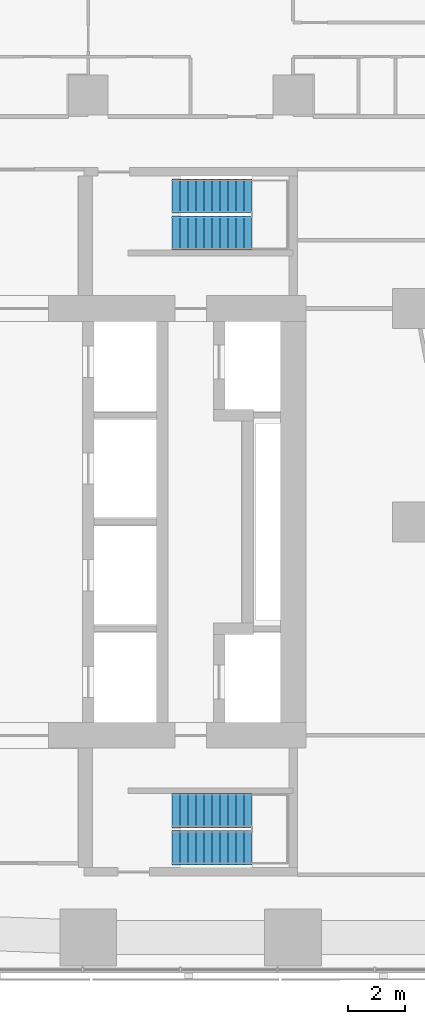
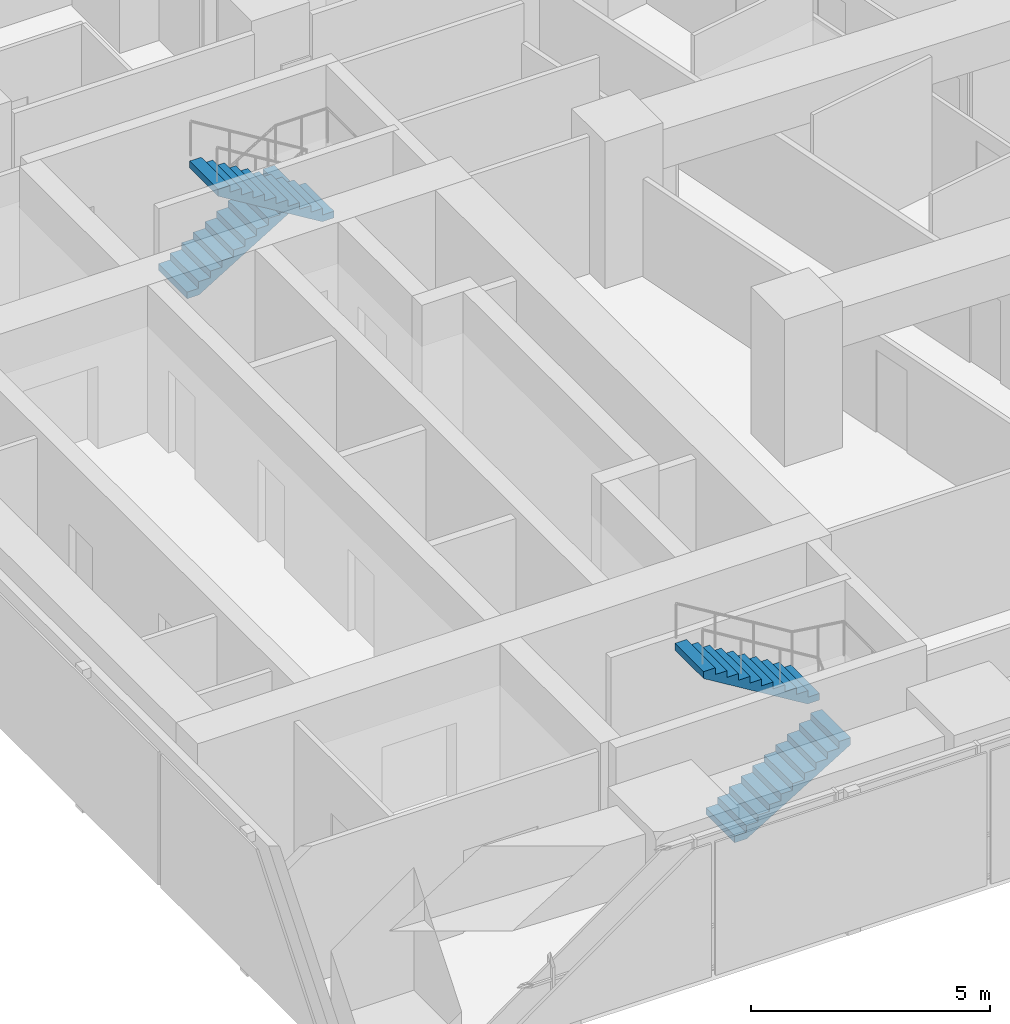
# One storey, part 9 of 10: 4 stair flights, 2 elements without a shape of their own.
"""IFC4 building model written with IfcOpenShell, lengths in metres."""

from ifc_helpers import new_model, si_unit, direction, frame, origin, place, context, subcontext, project, spatial, triangles, material, type_object, element, aggregate, save


model = new_model("IFC4")

# Units and contexts
model_context = context("Model", 3, precision=1e-05, world=origin(), true_north=direction((0.0, 1.0)))
body_context = subcontext(model_context, "Body", "Model", "MODEL_VIEW")
ifc_project = project(units=[si_unit("LENGTHUNIT", "METRE"), si_unit("AREAUNIT", "SQUARE_METRE"), si_unit("VOLUMEUNIT", "CUBIC_METRE"), si_unit("PLANEANGLEUNIT", "RADIAN"), si_unit("MASSUNIT", "GRAM", prefix="KILO")], contexts=[model_context])

# Site, building, storey
site_placement = place(None, origin())
site = spatial("IfcSite", under=ifc_project, at=site_placement, CompositionType="ELEMENT")
building_placement = place(site_placement, origin())
building = spatial("IfcBuilding", under=site, at=building_placement, Name="Sheger Commons Tower", CompositionType="ELEMENT")
storey_placement = place(building_placement, frame((0.0, 0.0, 285.35009765625)))
storey = spatial("IfcBuildingStorey", under=building, at=storey_placement, Name="L73", CompositionType="ELEMENT", Elevation=285.35009765625)

# Stair, stair flights
ifc_material_1 = material(Name="Concrete C35/45", Category="concrete")
stair_type = type_object("IfcStairType", Name="HALF-TURN STAIR 1200 RISE 3750", PredefinedType="HALF_TURN_STAIR", material=ifc_material_1)
stair_1_placement = place(storey_placement, origin())
stair_1 = element("IfcStair", 1, at=stair_1_placement, inside=storey, type_object=stair_type, Name="Stair S1 L73", PredefinedType="HALF_TURN_STAIR")
ifc_material_2 = material(Name="Concrete C35/45", Category="concrete")
stair_flight_type = type_object("IfcStairFlightType", Name="STAIR FLIGHT 1200 11 RISERS OF 170", PredefinedType="STRAIGHT", material=ifc_material_2)
stair_flight_1_placement = place(storey_placement, frame((24.550048828125, 11.050048828125, 0.0), z_axis=(0.0, 0.0, 1.0), x_axis=(1.0, 0.0, 0.0)))
stair_flight_1 = element("IfcStairFlight", 2, at=stair_flight_1_placement, type_object=stair_flight_type, Name="S1 flight 1", NumberOfRisers=11, NumberOfTreads=10, PredefinedType="STRAIGHT", RiserHeight=0.170454545, TreadLength=0.28, context=body_context, shape_type="Tessellation", body=[
    triangles([(0.0, 0.5999755859375, 0.0), (0.0, 0.5999755859375, 0.17041015625), (0.280029296875, 0.5999755859375, 0.17041015625), (0.280029296875, 0.5999755859375, 0.3408203125), (0.56005859375, 0.5999755859375, 0.3408203125), (0.56005859375, 0.5999755859375, 0.511474609375), (0.840087890625, 0.5999755859375, 0.511474609375), (0.840087890625, 0.5999755859375, 0.681884765625), (1.1201171875, 0.5999755859375, 0.681884765625), (1.1201171875, 0.5999755859375, 0.852294921875), (1.39990234375, 0.5999755859375, 0.852294921875), (1.39990234375, 0.5999755859375, 1.022705078125), (1.679931640625, 0.5999755859375, 1.022705078125), (1.679931640625, 0.5999755859375, 1.193115234375), (1.9599609375, 0.5999755859375, 1.193115234375), (1.9599609375, 0.5999755859375, 1.363525390625), (2.239990234375, 0.5999755859375, 1.363525390625), (2.239990234375, 0.5999755859375, 1.5341796875), (2.52001953125, 0.5999755859375, 1.5341796875), (2.52001953125, 0.5999755859375, 1.70458984375), (2.800048828125, 0.5999755859375, 1.70458984375), (2.800048828125, 0.5999755859375, 1.529052734375), (0.288330078125, 0.5999755859375, 0.0), (0.0, -0.5999755859375, 0.0), (0.0, -0.5999755859375, 0.17041015625), (0.280029296875, -0.5999755859375, 0.17041015625), (0.280029296875, -0.5999755859375, 0.3408203125), (0.56005859375, -0.5999755859375, 0.3408203125), (0.56005859375, -0.5999755859375, 0.511474609375), (0.840087890625, -0.5999755859375, 0.511474609375), (0.840087890625, -0.5999755859375, 0.681884765625), (1.1201171875, -0.5999755859375, 0.681884765625), (1.1201171875, -0.5999755859375, 0.852294921875), (1.39990234375, -0.5999755859375, 0.852294921875), (1.39990234375, -0.5999755859375, 1.022705078125), (1.679931640625, -0.5999755859375, 1.022705078125), (1.679931640625, -0.5999755859375, 1.193115234375), (1.9599609375, -0.5999755859375, 1.193115234375), (1.9599609375, -0.5999755859375, 1.363525390625), (2.239990234375, -0.5999755859375, 1.363525390625), (2.239990234375, -0.5999755859375, 1.5341796875), (2.52001953125, -0.5999755859375, 1.5341796875), (2.52001953125, -0.5999755859375, 1.70458984375), (2.800048828125, -0.5999755859375, 1.70458984375), (2.800048828125, -0.5999755859375, 1.529052734375), (0.288330078125, -0.5999755859375, 0.0), (0.0, 0.0, 0.085205078125), (0.1400146484375, 0.0, 0.17041015625), (0.280029296875, 0.0, 0.255615234375), (0.4200439453125, 0.0, 0.3408203125), (0.56005859375, 0.0, 0.4261474609375), (0.7000732421875, 0.0, 0.511474609375), (0.840087890625, 0.0, 0.5966796875), (0.9801025390625, 0.0, 0.681884765625), (1.1201171875, 0.0, 0.76708984375), (1.260009765625, 0.0, 0.852294921875), (1.39990234375, 0.0, 0.9375), (1.5399169921875, 0.0, 1.022705078125), (1.679931640625, 0.0, 1.10791015625), (1.8199462890625, 0.0, 1.193115234375), (1.9599609375, 0.0, 1.2783203125), (2.0999755859375, 0.0, 1.363525390625), (2.239990234375, 0.0, 1.4488525390625), (2.3800048828125, 0.0, 1.5341796875), (2.52001953125, 0.0, 1.619384765625), (2.6600341796875, 0.0, 1.70458984375), (2.800048828125, 0.0, 1.6168212890625), (1.544189453125, 0.0, 0.7645263671875), (0.1441650390625, 0.0, 0.0)], [[1, 22, 23], [24, 46, 45], [22, 20, 21], [45, 44, 43], [22, 19, 20], [45, 43, 42], [22, 18, 19], [45, 42, 41], [22, 17, 18], [45, 41, 40], [17, 15, 16], [40, 39, 38], [22, 15, 17], [45, 40, 38], [15, 13, 14], [38, 37, 36], [22, 13, 15], [45, 38, 36], [13, 11, 12], [36, 35, 34], [22, 11, 13], [45, 36, 34], [11, 9, 10], [34, 33, 32], [22, 9, 11], [45, 34, 32], [9, 7, 8], [32, 31, 30], [22, 7, 9], [45, 32, 30], [7, 5, 6], [30, 29, 28], [22, 5, 7], [45, 30, 28], [5, 3, 4], [28, 27, 26], [22, 3, 5], [45, 28, 26], [1, 3, 22], [24, 45, 26], [3, 1, 2], [26, 25, 24], [1, 47, 2], [2, 47, 25], [25, 47, 24], [24, 47, 1], [2, 48, 3], [3, 48, 26], [26, 48, 25], [25, 48, 2], [3, 49, 4], [4, 49, 27], [27, 49, 26], [26, 49, 3], [4, 50, 5], [5, 50, 28], [28, 50, 27], [27, 50, 4], [5, 51, 6], [6, 51, 29], [29, 51, 28], [28, 51, 5], [6, 52, 7], [7, 52, 30], [30, 52, 29], [29, 52, 6], [7, 53, 8], [8, 53, 31], [31, 53, 30], [30, 53, 7], [8, 54, 9], [9, 54, 32], [32, 54, 31], [31, 54, 8], [9, 55, 10], [10, 55, 33], [33, 55, 32], [32, 55, 9], [10, 56, 11], [11, 56, 34], [34, 56, 33], [33, 56, 10], [11, 57, 12], [12, 57, 35], [35, 57, 34], [34, 57, 11], [12, 58, 13], [13, 58, 36], [36, 58, 35], [35, 58, 12], [13, 59, 14], [14, 59, 37], [37, 59, 36], [36, 59, 13], [14, 60, 15], [15, 60, 38], [38, 60, 37], [37, 60, 14], [15, 61, 16], [16, 61, 39], [39, 61, 38], [38, 61, 15], [16, 62, 17], [17, 62, 40], [40, 62, 39], [39, 62, 16], [17, 63, 18], [18, 63, 41], [41, 63, 40], [40, 63, 17], [18, 64, 19], [19, 64, 42], [42, 64, 41], [41, 64, 18], [19, 65, 20], [20, 65, 43], [43, 65, 42], [42, 65, 19], [20, 66, 21], [21, 66, 44], [44, 66, 43], [43, 66, 20], [21, 67, 22], [22, 67, 45], [45, 67, 44], [44, 67, 21], [22, 68, 23], [23, 68, 46], [46, 68, 45], [45, 68, 22], [23, 69, 1], [1, 69, 24], [24, 69, 46], [46, 69, 23]], closed=True),
])
stair_flight_2_placement = place(storey_placement, frame((27.35009765625, 12.35009765625, 1.875), z_axis=(0.0, 0.0, 1.0), x_axis=(-1.0, 0.0, 0.0)))
stair_flight_2 = element("IfcStairFlight", 3, at=stair_flight_2_placement, type_object=stair_flight_type, Name="S1 flight 2", NumberOfRisers=11, NumberOfTreads=10, PredefinedType="STRAIGHT", RiserHeight=0.170454545, TreadLength=0.28, context=body_context, shape_type="Tessellation", body=[
    triangles([(0.0, 0.5999755859375, 0.0), (0.0, 0.5999755859375, 0.17041015625), (0.280029296875, 0.5999755859375, 0.17041015625), (0.280029296875, 0.5999755859375, 0.3408203125), (0.56005859375, 0.5999755859375, 0.3408203125), (0.56005859375, 0.5999755859375, 0.511474609375), (0.840087890625, 0.5999755859375, 0.511474609375), (0.840087890625, 0.5999755859375, 0.681884765625), (1.1201171875, 0.5999755859375, 0.681884765625), (1.1201171875, 0.5999755859375, 0.852294921875), (1.39990234375, 0.5999755859375, 0.852294921875), (1.39990234375, 0.5999755859375, 1.022705078125), (1.679931640625, 0.5999755859375, 1.022705078125), (1.679931640625, 0.5999755859375, 1.193115234375), (1.9599609375, 0.5999755859375, 1.193115234375), (1.9599609375, 0.5999755859375, 1.363525390625), (2.239990234375, 0.5999755859375, 1.363525390625), (2.239990234375, 0.5999755859375, 1.5341796875), (2.52001953125, 0.5999755859375, 1.5341796875), (2.52001953125, 0.5999755859375, 1.70458984375), (2.800048828125, 0.5999755859375, 1.70458984375), (2.800048828125, 0.5999755859375, 1.529052734375), (0.288330078125, 0.5999755859375, 0.0), (0.0, -0.5999755859375, 0.0), (0.0, -0.5999755859375, 0.17041015625), (0.280029296875, -0.5999755859375, 0.17041015625), (0.280029296875, -0.5999755859375, 0.3408203125), (0.56005859375, -0.5999755859375, 0.3408203125), (0.56005859375, -0.5999755859375, 0.511474609375), (0.840087890625, -0.5999755859375, 0.511474609375), (0.840087890625, -0.5999755859375, 0.681884765625), (1.1201171875, -0.5999755859375, 0.681884765625), (1.1201171875, -0.5999755859375, 0.852294921875), (1.39990234375, -0.5999755859375, 0.852294921875), (1.39990234375, -0.5999755859375, 1.022705078125), (1.679931640625, -0.5999755859375, 1.022705078125), (1.679931640625, -0.5999755859375, 1.193115234375), (1.9599609375, -0.5999755859375, 1.193115234375), (1.9599609375, -0.5999755859375, 1.363525390625), (2.239990234375, -0.5999755859375, 1.363525390625), (2.239990234375, -0.5999755859375, 1.5341796875), (2.52001953125, -0.5999755859375, 1.5341796875), (2.52001953125, -0.5999755859375, 1.70458984375), (2.800048828125, -0.5999755859375, 1.70458984375), (2.800048828125, -0.5999755859375, 1.529052734375), (0.288330078125, -0.5999755859375, 0.0), (0.0, 0.0, 0.085205078125), (0.1400146484375, 0.0, 0.17041015625), (0.280029296875, 0.0, 0.255615234375), (0.4200439453125, 0.0, 0.3408203125), (0.56005859375, 0.0, 0.4261474609375), (0.7000732421875, 0.0, 0.511474609375), (0.840087890625, 0.0, 0.5966796875), (0.9801025390625, 0.0, 0.681884765625), (1.1201171875, 0.0, 0.76708984375), (1.260009765625, 0.0, 0.852294921875), (1.39990234375, 0.0, 0.9375), (1.5399169921875, 0.0, 1.022705078125), (1.679931640625, 0.0, 1.10791015625), (1.8199462890625, 0.0, 1.193115234375), (1.9599609375, 0.0, 1.2783203125), (2.0999755859375, 0.0, 1.363525390625), (2.239990234375, 0.0, 1.4488525390625), (2.3800048828125, 0.0, 1.5341796875), (2.52001953125, 0.0, 1.619384765625), (2.6600341796875, 0.0, 1.70458984375), (2.800048828125, 0.0, 1.6168212890625), (1.544189453125, 0.0, 0.7645263671875), (0.1441650390625, 0.0, 0.0)], [[1, 22, 23], [24, 46, 45], [22, 20, 21], [45, 44, 43], [22, 19, 20], [45, 43, 42], [22, 18, 19], [45, 42, 41], [22, 17, 18], [45, 41, 40], [17, 15, 16], [40, 39, 38], [22, 15, 17], [45, 40, 38], [15, 13, 14], [38, 37, 36], [22, 13, 15], [45, 38, 36], [13, 11, 12], [36, 35, 34], [22, 11, 13], [45, 36, 34], [11, 9, 10], [34, 33, 32], [22, 9, 11], [45, 34, 32], [9, 7, 8], [32, 31, 30], [22, 7, 9], [45, 32, 30], [7, 5, 6], [30, 29, 28], [22, 5, 7], [45, 30, 28], [5, 3, 4], [28, 27, 26], [22, 3, 5], [45, 28, 26], [1, 3, 22], [24, 45, 26], [3, 1, 2], [26, 25, 24], [1, 47, 2], [2, 47, 25], [25, 47, 24], [24, 47, 1], [2, 48, 3], [3, 48, 26], [26, 48, 25], [25, 48, 2], [3, 49, 4], [4, 49, 27], [27, 49, 26], [26, 49, 3], [4, 50, 5], [5, 50, 28], [28, 50, 27], [27, 50, 4], [5, 51, 6], [6, 51, 29], [29, 51, 28], [28, 51, 5], [6, 52, 7], [7, 52, 30], [30, 52, 29], [29, 52, 6], [7, 53, 8], [8, 53, 31], [31, 53, 30], [30, 53, 7], [8, 54, 9], [9, 54, 32], [32, 54, 31], [31, 54, 8], [9, 55, 10], [10, 55, 33], [33, 55, 32], [32, 55, 9], [10, 56, 11], [11, 56, 34], [34, 56, 33], [33, 56, 10], [11, 57, 12], [12, 57, 35], [35, 57, 34], [34, 57, 11], [12, 58, 13], [13, 58, 36], [36, 58, 35], [35, 58, 12], [13, 59, 14], [14, 59, 37], [37, 59, 36], [36, 59, 13], [14, 60, 15], [15, 60, 38], [38, 60, 37], [37, 60, 14], [15, 61, 16], [16, 61, 39], [39, 61, 38], [38, 61, 15], [16, 62, 17], [17, 62, 40], [40, 62, 39], [39, 62, 16], [17, 63, 18], [18, 63, 41], [41, 63, 40], [40, 63, 17], [18, 64, 19], [19, 64, 42], [42, 64, 41], [41, 64, 18], [19, 65, 20], [20, 65, 43], [43, 65, 42], [42, 65, 19], [20, 66, 21], [21, 66, 44], [44, 66, 43], [43, 66, 20], [21, 67, 22], [22, 67, 45], [45, 67, 44], [44, 67, 21], [22, 68, 23], [23, 68, 46], [46, 68, 45], [45, 68, 22], [23, 69, 1], [1, 69, 24], [24, 69, 46], [46, 69, 23]], closed=True),
])
aggregate(stair_1, [stair_flight_1, stair_flight_2])

stair_2_placement = place(storey_placement, origin())
stair_2 = element("IfcStair", 4, at=stair_2_placement, inside=storey, type_object=stair_type, Name="Stair S2 L73", PredefinedType="HALF_TURN_STAIR")
stair_flight_3_placement = place(storey_placement, frame((24.550048828125, 33.949951171875, 0.0), z_axis=(0.0, 0.0, 1.0), x_axis=(1.0, 0.0, 0.0)))
stair_flight_3 = element("IfcStairFlight", 5, at=stair_flight_3_placement, type_object=stair_flight_type, Name="S2 flight 1", NumberOfRisers=11, NumberOfTreads=10, PredefinedType="STRAIGHT", RiserHeight=0.170454545, TreadLength=0.28, context=body_context, shape_type="Tessellation", body=[
    triangles([(0.0, 0.5999755859375, 0.0), (0.0, 0.5999755859375, 0.17041015625), (0.280029296875, 0.5999755859375, 0.17041015625), (0.280029296875, 0.5999755859375, 0.3408203125), (0.56005859375, 0.5999755859375, 0.3408203125), (0.56005859375, 0.5999755859375, 0.511474609375), (0.840087890625, 0.5999755859375, 0.511474609375), (0.840087890625, 0.5999755859375, 0.681884765625), (1.1201171875, 0.5999755859375, 0.681884765625), (1.1201171875, 0.5999755859375, 0.852294921875), (1.39990234375, 0.5999755859375, 0.852294921875), (1.39990234375, 0.5999755859375, 1.022705078125), (1.679931640625, 0.5999755859375, 1.022705078125), (1.679931640625, 0.5999755859375, 1.193115234375), (1.9599609375, 0.5999755859375, 1.193115234375), (1.9599609375, 0.5999755859375, 1.363525390625), (2.239990234375, 0.5999755859375, 1.363525390625), (2.239990234375, 0.5999755859375, 1.5341796875), (2.52001953125, 0.5999755859375, 1.5341796875), (2.52001953125, 0.5999755859375, 1.70458984375), (2.800048828125, 0.5999755859375, 1.70458984375), (2.800048828125, 0.5999755859375, 1.529052734375), (0.288330078125, 0.5999755859375, 0.0), (0.0, -0.5999755859375, 0.0), (0.0, -0.5999755859375, 0.17041015625), (0.280029296875, -0.5999755859375, 0.17041015625), (0.280029296875, -0.5999755859375, 0.3408203125), (0.56005859375, -0.5999755859375, 0.3408203125), (0.56005859375, -0.5999755859375, 0.511474609375), (0.840087890625, -0.5999755859375, 0.511474609375), (0.840087890625, -0.5999755859375, 0.681884765625), (1.1201171875, -0.5999755859375, 0.681884765625), (1.1201171875, -0.5999755859375, 0.852294921875), (1.39990234375, -0.5999755859375, 0.852294921875), (1.39990234375, -0.5999755859375, 1.022705078125), (1.679931640625, -0.5999755859375, 1.022705078125), (1.679931640625, -0.5999755859375, 1.193115234375), (1.9599609375, -0.5999755859375, 1.193115234375), (1.9599609375, -0.5999755859375, 1.363525390625), (2.239990234375, -0.5999755859375, 1.363525390625), (2.239990234375, -0.5999755859375, 1.5341796875), (2.52001953125, -0.5999755859375, 1.5341796875), (2.52001953125, -0.5999755859375, 1.70458984375), (2.800048828125, -0.5999755859375, 1.70458984375), (2.800048828125, -0.5999755859375, 1.529052734375), (0.288330078125, -0.5999755859375, 0.0), (0.0, 0.0, 0.085205078125), (0.1400146484375, 0.0, 0.17041015625), (0.280029296875, 0.0, 0.255615234375), (0.4200439453125, 0.0, 0.3408203125), (0.56005859375, 0.0, 0.4261474609375), (0.7000732421875, 0.0, 0.511474609375), (0.840087890625, 0.0, 0.5966796875), (0.9801025390625, 0.0, 0.681884765625), (1.1201171875, 0.0, 0.76708984375), (1.260009765625, 0.0, 0.852294921875), (1.39990234375, 0.0, 0.9375), (1.5399169921875, 0.0, 1.022705078125), (1.679931640625, 0.0, 1.10791015625), (1.8199462890625, 0.0, 1.193115234375), (1.9599609375, 0.0, 1.2783203125), (2.0999755859375, 0.0, 1.363525390625), (2.239990234375, 0.0, 1.4488525390625), (2.3800048828125, 0.0, 1.5341796875), (2.52001953125, 0.0, 1.619384765625), (2.6600341796875, 0.0, 1.70458984375), (2.800048828125, 0.0, 1.6168212890625), (1.544189453125, 0.0, 0.7645263671875), (0.1441650390625, 0.0, 0.0)], [[1, 22, 23], [24, 46, 45], [22, 20, 21], [45, 44, 43], [22, 19, 20], [45, 43, 42], [22, 18, 19], [45, 42, 41], [22, 17, 18], [45, 41, 40], [17, 15, 16], [40, 39, 38], [22, 15, 17], [45, 40, 38], [15, 13, 14], [38, 37, 36], [22, 13, 15], [45, 38, 36], [13, 11, 12], [36, 35, 34], [22, 11, 13], [45, 36, 34], [11, 9, 10], [34, 33, 32], [22, 9, 11], [45, 34, 32], [9, 7, 8], [32, 31, 30], [22, 7, 9], [45, 32, 30], [7, 5, 6], [30, 29, 28], [22, 5, 7], [45, 30, 28], [5, 3, 4], [28, 27, 26], [22, 3, 5], [45, 28, 26], [1, 3, 22], [24, 45, 26], [3, 1, 2], [26, 25, 24], [1, 47, 2], [2, 47, 25], [25, 47, 24], [24, 47, 1], [2, 48, 3], [3, 48, 26], [26, 48, 25], [25, 48, 2], [3, 49, 4], [4, 49, 27], [27, 49, 26], [26, 49, 3], [4, 50, 5], [5, 50, 28], [28, 50, 27], [27, 50, 4], [5, 51, 6], [6, 51, 29], [29, 51, 28], [28, 51, 5], [6, 52, 7], [7, 52, 30], [30, 52, 29], [29, 52, 6], [7, 53, 8], [8, 53, 31], [31, 53, 30], [30, 53, 7], [8, 54, 9], [9, 54, 32], [32, 54, 31], [31, 54, 8], [9, 55, 10], [10, 55, 33], [33, 55, 32], [32, 55, 9], [10, 56, 11], [11, 56, 34], [34, 56, 33], [33, 56, 10], [11, 57, 12], [12, 57, 35], [35, 57, 34], [34, 57, 11], [12, 58, 13], [13, 58, 36], [36, 58, 35], [35, 58, 12], [13, 59, 14], [14, 59, 37], [37, 59, 36], [36, 59, 13], [14, 60, 15], [15, 60, 38], [38, 60, 37], [37, 60, 14], [15, 61, 16], [16, 61, 39], [39, 61, 38], [38, 61, 15], [16, 62, 17], [17, 62, 40], [40, 62, 39], [39, 62, 16], [17, 63, 18], [18, 63, 41], [41, 63, 40], [40, 63, 17], [18, 64, 19], [19, 64, 42], [42, 64, 41], [41, 64, 18], [19, 65, 20], [20, 65, 43], [43, 65, 42], [42, 65, 19], [20, 66, 21], [21, 66, 44], [44, 66, 43], [43, 66, 20], [21, 67, 22], [22, 67, 45], [45, 67, 44], [44, 67, 21], [22, 68, 23], [23, 68, 46], [46, 68, 45], [45, 68, 22], [23, 69, 1], [1, 69, 24], [24, 69, 46], [46, 69, 23]], closed=True),
])
stair_flight_4_placement = place(storey_placement, frame((27.35009765625, 32.64990234375, 1.875), z_axis=(0.0, 0.0, 1.0), x_axis=(-1.0, 0.0, 0.0)))
stair_flight_4 = element("IfcStairFlight", 6, at=stair_flight_4_placement, type_object=stair_flight_type, Name="S2 flight 2", NumberOfRisers=11, NumberOfTreads=10, PredefinedType="STRAIGHT", RiserHeight=0.170454545, TreadLength=0.28, context=body_context, shape_type="Tessellation", body=[
    triangles([(0.0, 0.5999755859375, 0.0), (0.0, 0.5999755859375, 0.17041015625), (0.280029296875, 0.5999755859375, 0.17041015625), (0.280029296875, 0.5999755859375, 0.3408203125), (0.56005859375, 0.5999755859375, 0.3408203125), (0.56005859375, 0.5999755859375, 0.511474609375), (0.840087890625, 0.5999755859375, 0.511474609375), (0.840087890625, 0.5999755859375, 0.681884765625), (1.1201171875, 0.5999755859375, 0.681884765625), (1.1201171875, 0.5999755859375, 0.852294921875), (1.39990234375, 0.5999755859375, 0.852294921875), (1.39990234375, 0.5999755859375, 1.022705078125), (1.679931640625, 0.5999755859375, 1.022705078125), (1.679931640625, 0.5999755859375, 1.193115234375), (1.9599609375, 0.5999755859375, 1.193115234375), (1.9599609375, 0.5999755859375, 1.363525390625), (2.239990234375, 0.5999755859375, 1.363525390625), (2.239990234375, 0.5999755859375, 1.5341796875), (2.52001953125, 0.5999755859375, 1.5341796875), (2.52001953125, 0.5999755859375, 1.70458984375), (2.800048828125, 0.5999755859375, 1.70458984375), (2.800048828125, 0.5999755859375, 1.529052734375), (0.288330078125, 0.5999755859375, 0.0), (0.0, -0.5999755859375, 0.0), (0.0, -0.5999755859375, 0.17041015625), (0.280029296875, -0.5999755859375, 0.17041015625), (0.280029296875, -0.5999755859375, 0.3408203125), (0.56005859375, -0.5999755859375, 0.3408203125), (0.56005859375, -0.5999755859375, 0.511474609375), (0.840087890625, -0.5999755859375, 0.511474609375), (0.840087890625, -0.5999755859375, 0.681884765625), (1.1201171875, -0.5999755859375, 0.681884765625), (1.1201171875, -0.5999755859375, 0.852294921875), (1.39990234375, -0.5999755859375, 0.852294921875), (1.39990234375, -0.5999755859375, 1.022705078125), (1.679931640625, -0.5999755859375, 1.022705078125), (1.679931640625, -0.5999755859375, 1.193115234375), (1.9599609375, -0.5999755859375, 1.193115234375), (1.9599609375, -0.5999755859375, 1.363525390625), (2.239990234375, -0.5999755859375, 1.363525390625), (2.239990234375, -0.5999755859375, 1.5341796875), (2.52001953125, -0.5999755859375, 1.5341796875), (2.52001953125, -0.5999755859375, 1.70458984375), (2.800048828125, -0.5999755859375, 1.70458984375), (2.800048828125, -0.5999755859375, 1.529052734375), (0.288330078125, -0.5999755859375, 0.0), (0.0, 0.0, 0.085205078125), (0.1400146484375, 0.0, 0.17041015625), (0.280029296875, 0.0, 0.255615234375), (0.4200439453125, 0.0, 0.3408203125), (0.56005859375, 0.0, 0.4261474609375), (0.7000732421875, 0.0, 0.511474609375), (0.840087890625, 0.0, 0.5966796875), (0.9801025390625, 0.0, 0.681884765625), (1.1201171875, 0.0, 0.76708984375), (1.260009765625, 0.0, 0.852294921875), (1.39990234375, 0.0, 0.9375), (1.5399169921875, 0.0, 1.022705078125), (1.679931640625, 0.0, 1.10791015625), (1.8199462890625, 0.0, 1.193115234375), (1.9599609375, 0.0, 1.2783203125), (2.0999755859375, 0.0, 1.363525390625), (2.239990234375, 0.0, 1.4488525390625), (2.3800048828125, 0.0, 1.5341796875), (2.52001953125, 0.0, 1.619384765625), (2.6600341796875, 0.0, 1.70458984375), (2.800048828125, 0.0, 1.6168212890625), (1.544189453125, 0.0, 0.7645263671875), (0.1441650390625, 0.0, 0.0)], [[1, 22, 23], [24, 46, 45], [22, 20, 21], [45, 44, 43], [22, 19, 20], [45, 43, 42], [22, 18, 19], [45, 42, 41], [22, 17, 18], [45, 41, 40], [17, 15, 16], [40, 39, 38], [22, 15, 17], [45, 40, 38], [15, 13, 14], [38, 37, 36], [22, 13, 15], [45, 38, 36], [13, 11, 12], [36, 35, 34], [22, 11, 13], [45, 36, 34], [11, 9, 10], [34, 33, 32], [22, 9, 11], [45, 34, 32], [9, 7, 8], [32, 31, 30], [22, 7, 9], [45, 32, 30], [7, 5, 6], [30, 29, 28], [22, 5, 7], [45, 30, 28], [5, 3, 4], [28, 27, 26], [22, 3, 5], [45, 28, 26], [1, 3, 22], [24, 45, 26], [3, 1, 2], [26, 25, 24], [1, 47, 2], [2, 47, 25], [25, 47, 24], [24, 47, 1], [2, 48, 3], [3, 48, 26], [26, 48, 25], [25, 48, 2], [3, 49, 4], [4, 49, 27], [27, 49, 26], [26, 49, 3], [4, 50, 5], [5, 50, 28], [28, 50, 27], [27, 50, 4], [5, 51, 6], [6, 51, 29], [29, 51, 28], [28, 51, 5], [6, 52, 7], [7, 52, 30], [30, 52, 29], [29, 52, 6], [7, 53, 8], [8, 53, 31], [31, 53, 30], [30, 53, 7], [8, 54, 9], [9, 54, 32], [32, 54, 31], [31, 54, 8], [9, 55, 10], [10, 55, 33], [33, 55, 32], [32, 55, 9], [10, 56, 11], [11, 56, 34], [34, 56, 33], [33, 56, 10], [11, 57, 12], [12, 57, 35], [35, 57, 34], [34, 57, 11], [12, 58, 13], [13, 58, 36], [36, 58, 35], [35, 58, 12], [13, 59, 14], [14, 59, 37], [37, 59, 36], [36, 59, 13], [14, 60, 15], [15, 60, 38], [38, 60, 37], [37, 60, 14], [15, 61, 16], [16, 61, 39], [39, 61, 38], [38, 61, 15], [16, 62, 17], [17, 62, 40], [40, 62, 39], [39, 62, 16], [17, 63, 18], [18, 63, 41], [41, 63, 40], [40, 63, 17], [18, 64, 19], [19, 64, 42], [42, 64, 41], [41, 64, 18], [19, 65, 20], [20, 65, 43], [43, 65, 42], [42, 65, 19], [20, 66, 21], [21, 66, 44], [44, 66, 43], [43, 66, 20], [21, 67, 22], [22, 67, 45], [45, 67, 44], [44, 67, 21], [22, 68, 23], [23, 68, 46], [46, 68, 45], [45, 68, 22], [23, 69, 1], [1, 69, 24], [24, 69, 46], [46, 69, 23]], closed=True),
])
aggregate(stair_2, [stair_flight_3, stair_flight_4])

save(model, "model.ifc")
